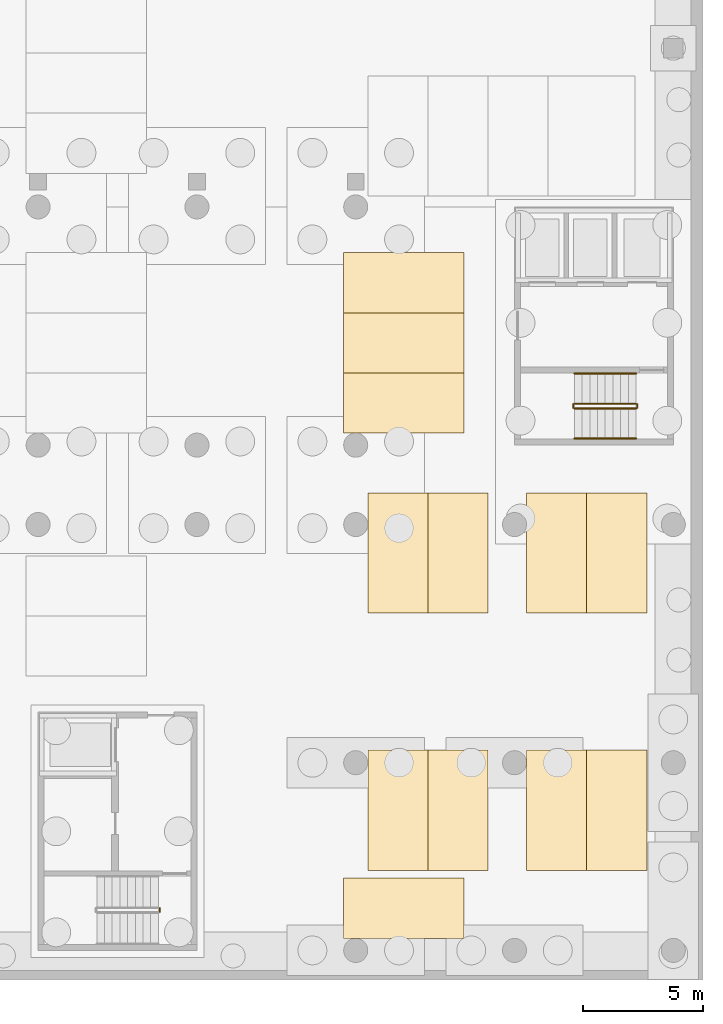
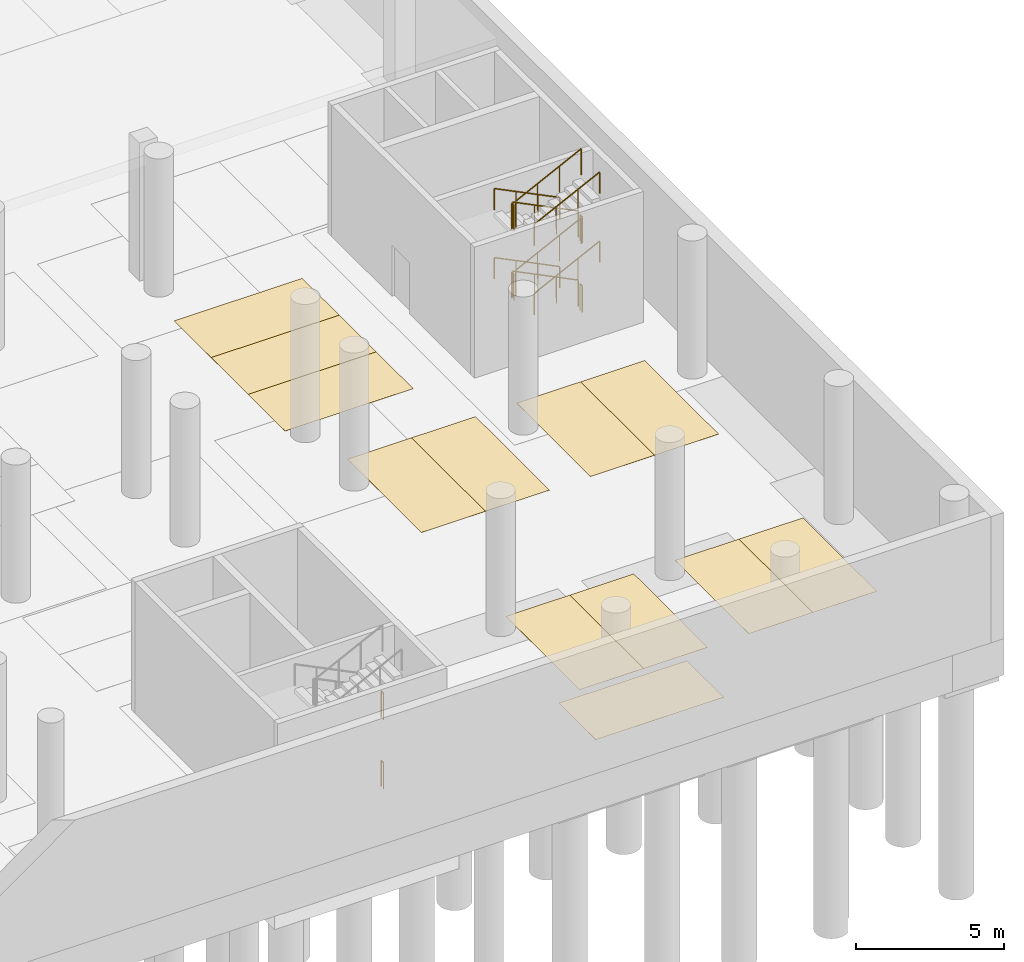
# One storey, part 30 of 38: 14 railings, 12 coverings.
"""IFC4 building model written with IfcOpenShell, lengths in metres."""

from ifc_helpers import new_model, si_unit, direction, frame, origin, origin_2d, place, context, subcontext, project, spatial, polyline, circle, outline, extrude, material, layer, layer_set, type_object, element, save


model = new_model("IFC4")

# Units and contexts
model_context = context("Model", 3, precision=1e-05, world=origin(), true_north=direction((0.0, 1.0)))
body_context = subcontext(model_context, "Body", "Model", "MODEL_VIEW")
ifc_project = project(units=[si_unit("LENGTHUNIT", "METRE"), si_unit("AREAUNIT", "SQUARE_METRE"), si_unit("VOLUMEUNIT", "CUBIC_METRE"), si_unit("PLANEANGLEUNIT", "RADIAN"), si_unit("MASSUNIT", "GRAM", prefix="KILO")], contexts=[model_context])

# Site, building, storey
site_placement = place(None, origin())
site = spatial("IfcSite", under=ifc_project, at=site_placement, CompositionType="ELEMENT")
building_placement = place(site_placement, origin())
building = spatial("IfcBuilding", under=site, at=building_placement, Name="Lantern Court Research Institute", CompositionType="ELEMENT")
storey_placement = place(building_placement, frame((0.0, 0.0, -5.699951171875)))
storey = spatial("IfcBuildingStorey", under=building, at=storey_placement, Name="B1", CompositionType="ELEMENT", Elevation=-5.699951171875)

# Coverings
ifc_material_1 = material(Name="Thermoplastic road marking paint")
ifc_layer_1 = layer(ifc_material_1, 0.0029296875)
ifc_layer_set_1 = layer_set([ifc_layer_1], Name="Thermoplastic road marking paint")
covering_type_1 = type_object("IfcCoveringType", Name="Electric vehicle parking bay marking", PredefinedType="FLOORING", material=ifc_layer_set_1)
covering_1_placement = place(storey_placement, origin())
element("IfcCovering", 1, at=covering_1_placement, inside=storey, type_object=covering_type_1, Name="Electric vehicle parking bay marking 03", PredefinedType="FLOORING", context=body_context, shape_type="SweptSolid", body=[
    extrude(outline(polyline([(65.5, 16.199951171875), (70.5, 16.199951171875), (70.5, 18.699951171875), (65.5, 18.699951171875), (65.5, 16.199951171875)])), origin(), (0.0, 0.0, 1.0), 0.0029296875),
])
covering_2_placement = place(storey_placement, origin())
element("IfcCovering", 2, at=covering_2_placement, inside=storey, type_object=covering_type_1, Name="Electric vehicle parking bay marking 04", PredefinedType="FLOORING", context=body_context, shape_type="SweptSolid", body=[
    extrude(outline(polyline([(65.5, 18.699951171875), (70.5, 18.699951171875), (70.5, 21.199951171875), (65.5, 21.199951171875), (65.5, 18.699951171875)])), origin(), (0.0, 0.0, 1.0), 0.0029296875),
])
ifc_material_2 = material(Name="Thermoplastic road marking paint")
ifc_layer_2 = layer(ifc_material_2, 0.0029296875)
ifc_layer_set_2 = layer_set([ifc_layer_2], Name="Thermoplastic road marking paint")
covering_type_2 = type_object("IfcCoveringType", Name="Parking bay marking", PredefinedType="FLOORING", material=ifc_layer_set_2)
covering_3_placement = place(storey_placement, origin())
element("IfcCovering", 3, at=covering_3_placement, inside=storey, type_object=covering_type_2, Name="Parking bay marking 002", PredefinedType="FLOORING", context=body_context, shape_type="SweptSolid", body=[
    extrude(outline(polyline([(65.5, -7.300048828125), (70.5, -7.300048828125), (70.5, -4.800048828125), (65.5, -4.800048828125), (65.5, -7.300048828125)])), origin(), (0.0, 0.0, 1.0), 0.0029296875),
])
covering_4_placement = place(storey_placement, origin())
element("IfcCovering", 4, at=covering_4_placement, inside=storey, type_object=covering_type_2, Name="Parking bay marking 017", PredefinedType="FLOORING", context=body_context, shape_type="SweptSolid", body=[
    extrude(outline(polyline([(66.5, -4.47998046875), (69.0, -4.47998046875), (69.0, 0.52001953125), (66.5, 0.52001953125), (66.5, -4.47998046875)])), origin(), (0.0, 0.0, 1.0), 0.0029296875),
])
covering_5_placement = place(storey_placement, origin())
element("IfcCovering", 5, at=covering_5_placement, inside=storey, type_object=covering_type_2, Name="Parking bay marking 018", PredefinedType="FLOORING", context=body_context, shape_type="SweptSolid", body=[
    extrude(outline(polyline([(69.0, -4.47998046875), (71.5, -4.47998046875), (71.5, 0.52001953125), (69.0, 0.52001953125), (69.0, -4.47998046875)])), origin(), (0.0, 0.0, 1.0), 0.0029296875),
])
covering_6_placement = place(storey_placement, origin())
element("IfcCovering", 6, at=covering_6_placement, inside=storey, type_object=covering_type_2, Name="Parking bay marking 019", PredefinedType="FLOORING", context=body_context, shape_type="SweptSolid", body=[
    extrude(outline(polyline([(73.10009765625, -4.47998046875), (75.60009765625, -4.47998046875), (75.60009765625, 0.52001953125), (73.10009765625, 0.52001953125), (73.10009765625, -4.47998046875)])), origin(), (0.0, 0.0, 1.0), 0.0029296875),
])
covering_7_placement = place(storey_placement, origin())
element("IfcCovering", 7, at=covering_7_placement, inside=storey, type_object=covering_type_2, Name="Parking bay marking 020", PredefinedType="FLOORING", context=body_context, shape_type="SweptSolid", body=[
    extrude(outline(polyline([(75.60009765625, -4.47998046875), (78.10009765625, -4.47998046875), (78.10009765625, 0.52001953125), (75.60009765625, 0.52001953125), (75.60009765625, -4.47998046875)])), origin(), (0.0, 0.0, 1.0), 0.0029296875),
])
covering_8_placement = place(storey_placement, origin())
element("IfcCovering", 8, at=covering_8_placement, inside=storey, type_object=covering_type_2, Name="Parking bay marking 035", PredefinedType="FLOORING", context=body_context, shape_type="SweptSolid", body=[
    extrude(outline(polyline([(66.5, 6.219970703125), (69.0, 6.219970703125), (69.0, 11.219970703125), (66.5, 11.219970703125), (66.5, 6.219970703125)])), origin(), (0.0, 0.0, 1.0), 0.0029296875),
])
covering_9_placement = place(storey_placement, origin())
element("IfcCovering", 9, at=covering_9_placement, inside=storey, type_object=covering_type_2, Name="Parking bay marking 036", PredefinedType="FLOORING", context=body_context, shape_type="SweptSolid", body=[
    extrude(outline(polyline([(69.0, 6.219970703125), (71.5, 6.219970703125), (71.5, 11.219970703125), (69.0, 11.219970703125), (69.0, 6.219970703125)])), origin(), (0.0, 0.0, 1.0), 0.0029296875),
])
covering_10_placement = place(storey_placement, origin())
element("IfcCovering", 10, at=covering_10_placement, inside=storey, type_object=covering_type_2, Name="Parking bay marking 037", PredefinedType="FLOORING", context=body_context, shape_type="SweptSolid", body=[
    extrude(outline(polyline([(73.10009765625, 6.219970703125), (75.60009765625, 6.219970703125), (75.60009765625, 11.219970703125), (73.10009765625, 11.219970703125), (73.10009765625, 6.219970703125)])), origin(), (0.0, 0.0, 1.0), 0.0029296875),
])
covering_11_placement = place(storey_placement, origin())
element("IfcCovering", 11, at=covering_11_placement, inside=storey, type_object=covering_type_2, Name="Parking bay marking 038", PredefinedType="FLOORING", context=body_context, shape_type="SweptSolid", body=[
    extrude(outline(polyline([(75.60009765625, 6.219970703125), (78.10009765625, 6.219970703125), (78.10009765625, 11.219970703125), (75.60009765625, 11.219970703125), (75.60009765625, 6.219970703125)])), origin(), (0.0, 0.0, 1.0), 0.0029296875),
])
covering_12_placement = place(storey_placement, origin())
element("IfcCovering", 12, at=covering_12_placement, inside=storey, type_object=covering_type_2, Name="Parking bay marking 041", PredefinedType="FLOORING", context=body_context, shape_type="SweptSolid", body=[
    extrude(outline(polyline([(65.5, 13.699951171875), (70.5, 13.699951171875), (70.5, 16.199951171875), (65.5, 16.199951171875), (65.5, 13.699951171875)])), origin(), (0.0, 0.0, 1.0), 0.0029296875),
])

# Railings
ifc_material_3 = material(Name="Structural steel S355", Category="steel")
railing_type_1 = type_object("IfcRailingType", Name="Stair guard 1100 steel", PredefinedType="GUARDRAIL", material=ifc_material_3)
for number, where, name in (
    (13, (57.85009765625, -6.050048828125, 2.849853515625), "B1 ST-T1 stair guard 4"),
    (14, (57.85009765625, -6.050048828125, 0.0), "B1 ST-T1 stair guard 8"),
):
    element("IfcRailing", number, at=place(storey_placement, frame(where)), inside=storey, type_object=railing_type_1, Name=name, PredefinedType="GUARDRAIL", context=body_context, shape_type="SweptSolid", body=[
        extrude(circle(Radius=0.02392578125, at=origin_2d()), frame((0.0, 0.0, 1.076171875), z_axis=(0.0, -1.0, 0.0), x_axis=(1.0, 0.0, 0.0)), (0.0, 0.0, 1.0), 0.14990234375),
        extrude(circle(Radius=0.02099609375, at=origin_2d()), origin(), (0.0, 0.0, 1.0), 1.052001953125),
        extrude(circle(Radius=0.02099609375, at=origin_2d()), frame((0.0, -0.14990234375, 0.0)), (0.0, 0.0, 1.0), 1.052001953125),
    ])
railing_1_placement = place(storey_placement, frame((77.64990234375, 14.925048828125, 0.158203125)))
element("IfcRailing", 15, at=railing_1_placement, inside=storey, type_object=railing_type_1, Name="B1 ST-T2 stair guard 1", PredefinedType="GUARDRAIL", context=body_context, shape_type="SweptSolid", body=[
    extrude(circle(Radius=0.02392578125, at=origin_2d()), frame((0.0, 0.0, 1.076171875), z_axis=(-0.896248962668, 0.0, 0.443551346427), x_axis=(0.0, -1.0, 0.0)), (0.0, 0.0, 1.0), 2.856201171875),
    extrude(circle(Radius=0.02099609375, at=origin_2d()), origin(), (0.0, 0.0, 1.0), 1.052001953125),
    extrude(circle(Radius=0.02099609375, at=origin_2d()), frame((-0.853271484375, 0.0, 0.42236328125)), (0.0, 0.0, 1.0), 1.052001953125),
    extrude(circle(Radius=0.02099609375, at=origin_2d()), frame((-1.70654296875, 0.0, 0.844482421875)), (0.0, 0.0, 1.0), 1.052001953125),
    extrude(circle(Radius=0.02099609375, at=origin_2d()), frame((-2.559814453125, 0.0, 1.266845703125)), (0.0, 0.0, 1.0), 1.052001953125),
])
railing_2_placement = place(storey_placement, frame((75.0400390625, 14.89990234375, 1.425048828125)))
element("IfcRailing", 16, at=railing_2_placement, inside=storey, type_object=railing_type_1, Name="B1 ST-T2 stair guard 2", PredefinedType="GUARDRAIL", context=body_context, shape_type="SweptSolid", body=[
    extrude(circle(Radius=0.02392578125, at=origin_2d()), frame((0.0, 0.0, 1.076171875), z_axis=(0.0, -1.0, 0.0), x_axis=(1.0, 0.0, 0.0)), (0.0, 0.0, 1.0), 0.14990234375),
    extrude(circle(Radius=0.02099609375, at=origin_2d()), origin(), (0.0, 0.0, 1.0), 1.052001953125),
    extrude(circle(Radius=0.02099609375, at=origin_2d()), frame((0.0, -0.14990234375, 0.0)), (0.0, 0.0, 1.0), 1.052001953125),
])
railing_3_placement = place(storey_placement, frame((75.090087890625, 14.72509765625, 1.583251953125)))
element("IfcRailing", 17, at=railing_3_placement, inside=storey, type_object=railing_type_1, Name="B1 ST-T2 stair guard 3", PredefinedType="GUARDRAIL", context=body_context, shape_type="SweptSolid", body=[
    extrude(circle(Radius=0.02392578125, at=origin_2d()), frame((0.0, 0.0, 1.076171875), z_axis=(0.896282942063, 0.0, 0.443482680346), x_axis=(0.0, 1.0, 0.0)), (0.0, 0.0, 1.0), 2.85595703125),
    extrude(circle(Radius=0.02099609375, at=origin_2d()), origin(), (0.0, 0.0, 1.0), 1.052001953125),
    extrude(circle(Radius=0.02099609375, at=origin_2d()), frame((0.853271484375, 0.0, 0.422119140625)), (0.0, 0.0, 1.0), 1.052001953125),
    extrude(circle(Radius=0.02099609375, at=origin_2d()), frame((1.70654296875, 0.0, 0.844482421875)), (0.0, 0.0, 1.0), 1.052001953125),
    extrude(circle(Radius=0.02099609375, at=origin_2d()), frame((2.559814453125, 0.0, 1.2666015625)), (0.0, 0.0, 1.0), 1.052001953125),
])
railing_4_placement = place(storey_placement, frame((77.699951171875, 14.89990234375, 2.849853515625)))
element("IfcRailing", 18, at=railing_4_placement, inside=storey, type_object=railing_type_1, Name="B1 ST-T2 stair guard 4", PredefinedType="GUARDRAIL", context=body_context, shape_type="SweptSolid", body=[
    extrude(circle(Radius=0.02392578125, at=origin_2d()), frame((0.0, 0.0, 1.076171875), z_axis=(0.0, -1.0, 0.0), x_axis=(1.0, 0.0, 0.0)), (0.0, 0.0, 1.0), 0.14990234375),
    extrude(circle(Radius=0.02099609375, at=origin_2d()), origin(), (0.0, 0.0, 1.0), 1.052001953125),
    extrude(circle(Radius=0.02099609375, at=origin_2d()), frame((0.0, -0.14990234375, 0.0)), (0.0, 0.0, 1.0), 1.052001953125),
])
railing_5_placement = place(storey_placement, frame((77.64990234375, 14.925048828125, 3.00830078125)))
element("IfcRailing", 19, at=railing_5_placement, inside=storey, type_object=railing_type_1, Name="B1 ST-T2 stair guard 5", PredefinedType="GUARDRAIL", context=body_context, shape_type="SweptSolid", body=[
    extrude(circle(Radius=0.02392578125, at=origin_2d()), frame((0.0, 0.0, 1.076171875), z_axis=(-0.896282942063, 0.0, 0.443482680346), x_axis=(0.0, -1.0, 0.0)), (0.0, 0.0, 1.0), 2.85595703125),
    extrude(circle(Radius=0.02099609375, at=origin_2d()), origin(), (0.0, 0.0, 1.0), 1.052001953125),
    extrude(circle(Radius=0.02099609375, at=origin_2d()), frame((-0.853271484375, 0.0, 0.422119140625)), (0.0, 0.0, 1.0), 1.052001953125),
    extrude(circle(Radius=0.02099609375, at=origin_2d()), frame((-1.70654296875, 0.0, 0.844482421875)), (0.0, 0.0, 1.0), 1.052001953125),
    extrude(circle(Radius=0.02099609375, at=origin_2d()), frame((-2.559814453125, 0.0, 1.2666015625)), (0.0, 0.0, 1.0), 1.052001953125),
])
railing_6_placement = place(storey_placement, frame((75.0400390625, 14.89990234375, 4.27490234375)))
element("IfcRailing", 20, at=railing_6_placement, inside=storey, type_object=railing_type_1, Name="B1 ST-T2 stair guard 6", PredefinedType="GUARDRAIL", context=body_context, shape_type="SweptSolid", body=[
    extrude(circle(Radius=0.02392578125, at=origin_2d()), frame((0.0, 0.0, 1.076171875), z_axis=(0.0, -1.0, 0.0), x_axis=(1.0, 0.0, 0.0)), (0.0, 0.0, 1.0), 0.14990234375),
    extrude(circle(Radius=0.02099609375, at=origin_2d()), origin(), (0.0, 0.0, 1.0), 1.052001953125),
    extrude(circle(Radius=0.02099609375, at=origin_2d()), frame((0.0, -0.14990234375, 0.0)), (0.0, 0.0, 1.0), 1.052001953125),
])
railing_7_placement = place(storey_placement, frame((75.090087890625, 14.72509765625, 4.433349609375)))
element("IfcRailing", 21, at=railing_7_placement, inside=storey, type_object=railing_type_1, Name="B1 ST-T2 stair guard 7", PredefinedType="GUARDRAIL", context=body_context, shape_type="SweptSolid", body=[
    extrude(circle(Radius=0.02392578125, at=origin_2d()), frame((0.0, 0.0, 1.076171875), z_axis=(0.896282942063, 0.0, 0.443482680346), x_axis=(0.0, 1.0, 0.0)), (0.0, 0.0, 1.0), 2.85595703125),
    extrude(circle(Radius=0.02099609375, at=origin_2d()), origin(), (0.0, 0.0, 1.0), 1.052001953125),
    extrude(circle(Radius=0.02099609375, at=origin_2d()), frame((0.853271484375, 0.0, 0.422119140625)), (0.0, 0.0, 1.0), 1.052001953125),
    extrude(circle(Radius=0.02099609375, at=origin_2d()), frame((1.70654296875, 0.0, 0.844482421875)), (0.0, 0.0, 1.0), 1.052001953125),
    extrude(circle(Radius=0.02099609375, at=origin_2d()), frame((2.559814453125, 0.0, 1.2666015625)), (0.0, 0.0, 1.0), 1.052001953125),
])
railing_8_placement = place(storey_placement, frame((77.699951171875, 14.89990234375, 0.0)))
element("IfcRailing", 22, at=railing_8_placement, inside=storey, type_object=railing_type_1, Name="B1 ST-T2 stair guard 8", PredefinedType="GUARDRAIL", context=body_context, shape_type="SweptSolid", body=[
    extrude(circle(Radius=0.02392578125, at=origin_2d()), frame((0.0, 0.0, 1.076171875), z_axis=(0.0, -1.0, 0.0), x_axis=(1.0, 0.0, 0.0)), (0.0, 0.0, 1.0), 0.14990234375),
    extrude(circle(Radius=0.02099609375, at=origin_2d()), origin(), (0.0, 0.0, 1.0), 1.052001953125),
    extrude(circle(Radius=0.02099609375, at=origin_2d()), frame((0.0, -0.14990234375, 0.0)), (0.0, 0.0, 1.0), 1.052001953125),
])
ifc_material_4 = material(Name="Stainless steel 316", Category="steel")
railing_type_2 = type_object("IfcRailingType", Name="Stair handrail 900 steel", PredefinedType="HANDRAIL", material=ifc_material_4)
railing_9_placement = place(storey_placement, frame((77.64990234375, 16.175048828125, 0.158203125)))
element("IfcRailing", 23, at=railing_9_placement, inside=storey, type_object=railing_type_2, Name="B1 ST-T2 stair handrail 1", PredefinedType="HANDRAIL", context=body_context, shape_type="SweptSolid", body=[
    extrude(circle(Radius=0.02392578125, at=origin_2d()), frame((0.0, 0.0, 0.8759765625), z_axis=(-0.896248962668, 0.0, 0.443551346427), x_axis=(0.0, -1.0, 0.0)), (0.0, 0.0, 1.0), 2.856201171875),
    extrude(circle(Radius=0.02099609375, at=origin_2d()), origin(), (0.0, 0.0, 1.0), 0.851806640625),
    extrude(circle(Radius=0.02099609375, at=origin_2d()), frame((-0.853271484375, 0.0, 0.42236328125)), (0.0, 0.0, 1.0), 0.851806640625),
    extrude(circle(Radius=0.02099609375, at=origin_2d()), frame((-1.70654296875, 0.0, 0.844482421875)), (0.0, 0.0, 1.0), 0.851806640625),
    extrude(circle(Radius=0.02099609375, at=origin_2d()), frame((-2.559814453125, 0.0, 1.266845703125)), (0.0, 0.0, 1.0), 0.851806640625),
])
railing_10_placement = place(storey_placement, frame((75.090087890625, 13.47509765625, 1.583251953125)))
element("IfcRailing", 24, at=railing_10_placement, inside=storey, type_object=railing_type_2, Name="B1 ST-T2 stair handrail 2", PredefinedType="HANDRAIL", context=body_context, shape_type="SweptSolid", body=[
    extrude(circle(Radius=0.02392578125, at=origin_2d()), frame((0.0, 0.0, 0.8759765625), z_axis=(0.896282942063, 0.0, 0.443482680346), x_axis=(0.0, 1.0, 0.0)), (0.0, 0.0, 1.0), 2.85595703125),
    extrude(circle(Radius=0.02099609375, at=origin_2d()), origin(), (0.0, 0.0, 1.0), 0.851806640625),
    extrude(circle(Radius=0.02099609375, at=origin_2d()), frame((0.853271484375, 0.0, 0.422119140625)), (0.0, 0.0, 1.0), 0.851806640625),
    extrude(circle(Radius=0.02099609375, at=origin_2d()), frame((1.70654296875, 0.0, 0.844482421875)), (0.0, 0.0, 1.0), 0.851806640625),
    extrude(circle(Radius=0.02099609375, at=origin_2d()), frame((2.559814453125, 0.0, 1.2666015625)), (0.0, 0.0, 1.0), 0.851806640625),
])
railing_11_placement = place(storey_placement, frame((77.64990234375, 16.175048828125, 3.00830078125)))
element("IfcRailing", 25, at=railing_11_placement, inside=storey, type_object=railing_type_2, Name="B1 ST-T2 stair handrail 3", PredefinedType="HANDRAIL", context=body_context, shape_type="SweptSolid", body=[
    extrude(circle(Radius=0.02392578125, at=origin_2d()), frame((0.0, 0.0, 0.8759765625), z_axis=(-0.896282942063, 0.0, 0.443482680346), x_axis=(0.0, -1.0, 0.0)), (0.0, 0.0, 1.0), 2.85595703125),
    extrude(circle(Radius=0.02099609375, at=origin_2d()), origin(), (0.0, 0.0, 1.0), 0.851806640625),
    extrude(circle(Radius=0.02099609375, at=origin_2d()), frame((-0.853271484375, 0.0, 0.422119140625)), (0.0, 0.0, 1.0), 0.851806640625),
    extrude(circle(Radius=0.02099609375, at=origin_2d()), frame((-1.70654296875, 0.0, 0.844482421875)), (0.0, 0.0, 1.0), 0.851806640625),
    extrude(circle(Radius=0.02099609375, at=origin_2d()), frame((-2.559814453125, 0.0, 1.2666015625)), (0.0, 0.0, 1.0), 0.851806640625),
])
railing_12_placement = place(storey_placement, frame((75.090087890625, 13.47509765625, 4.433349609375)))
element("IfcRailing", 26, at=railing_12_placement, inside=storey, type_object=railing_type_2, Name="B1 ST-T2 stair handrail 4", PredefinedType="HANDRAIL", context=body_context, shape_type="SweptSolid", body=[
    extrude(circle(Radius=0.02392578125, at=origin_2d()), frame((0.0, 0.0, 0.8759765625), z_axis=(0.896282942063, 0.0, 0.443482680346), x_axis=(0.0, 1.0, 0.0)), (0.0, 0.0, 1.0), 2.85595703125),
    extrude(circle(Radius=0.02099609375, at=origin_2d()), origin(), (0.0, 0.0, 1.0), 0.851806640625),
    extrude(circle(Radius=0.02099609375, at=origin_2d()), frame((0.853271484375, 0.0, 0.422119140625)), (0.0, 0.0, 1.0), 0.851806640625),
    extrude(circle(Radius=0.02099609375, at=origin_2d()), frame((1.70654296875, 0.0, 0.844482421875)), (0.0, 0.0, 1.0), 0.851806640625),
    extrude(circle(Radius=0.02099609375, at=origin_2d()), frame((2.559814453125, 0.0, 1.2666015625)), (0.0, 0.0, 1.0), 0.851806640625),
])

save(model, "model.ifc")
